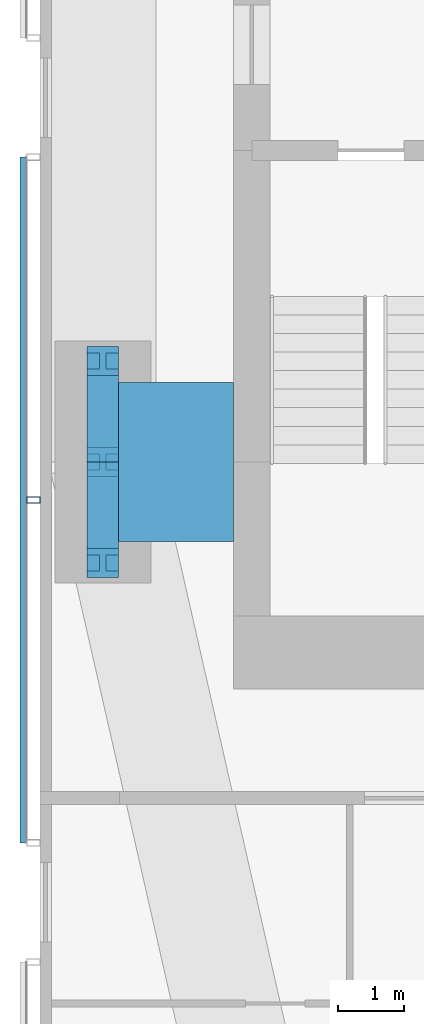
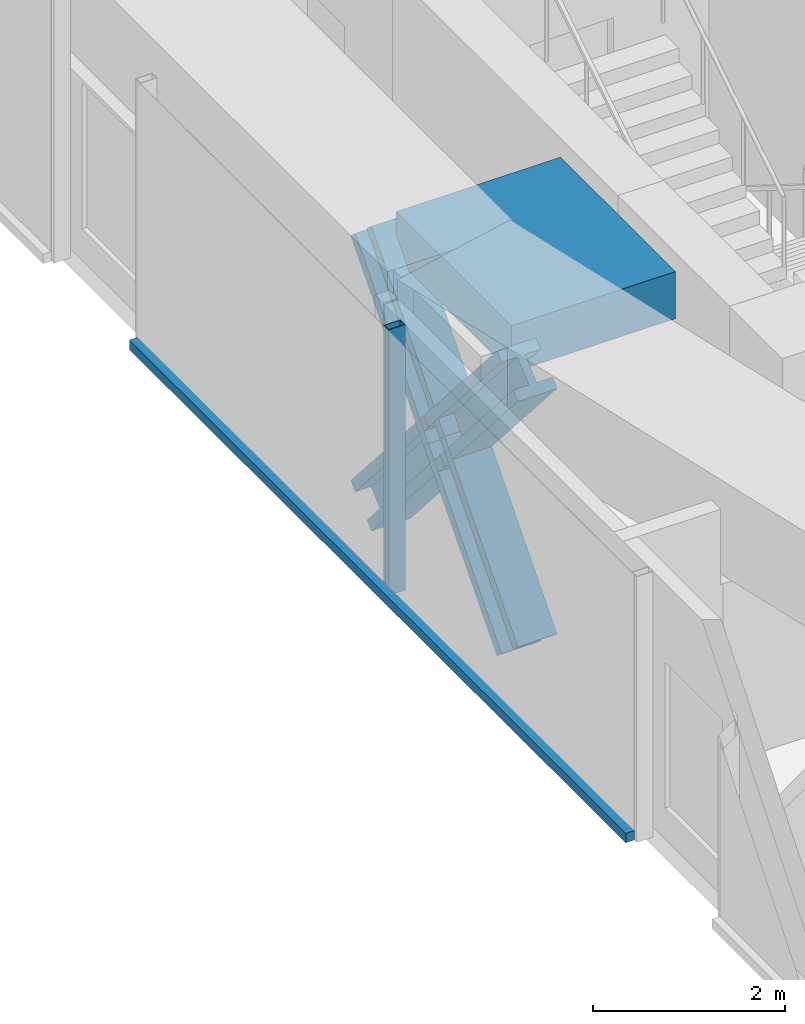
# One storey, part 4 of 19: 6 members, 1 beam, 1 element without a shape of its own.
"""IFC4 building model written with IfcOpenShell, lengths in metres."""

import ifcopenshell
import ifcopenshell.guid

model = None  # the IFC model being written
_history = None  # IfcOwnerHistory: only IFC2X3 demands one
_inside = {}  # id of a spatial element -> (the spatial element, [elements in it])
_under = {}  # id of a project, library or spatial element -> (it, [spatial elements below it])
_declared = {}  # id of a project -> (the project, [libraries it declares])
_typed = {}  # id of a type object -> (the type object, [elements of that type])
_made_of = {}  # id of a material, layer set ... -> (it, [elements and type objects made of it])


def new_model(schema):
    """Start an empty IFC model of exactly this schema.

    Asked for "IFC4X3", IfcOpenShell would pick the latest addendum, in which some entities
    have other attributes; the version numbers below select the first issue.
    IFC2X3 requires an IfcOwnerHistory on every rooted entity: one is made here for all.
    """
    global model, _history
    if schema == "IFC4X3":
        model = ifcopenshell.file(schema_version=(4, 3, 0, 0))
    else:
        model = ifcopenshell.file(schema=schema)
    _inside.clear()
    _under.clear()
    _declared.clear()
    _typed.clear()
    _made_of.clear()
    _history = None
    if model.schema == "IFC2X3":
        org = make("IfcOrganization", Name="unknown")
        user = make(
            "IfcPersonAndOrganization",
            ThePerson=make("IfcPerson", FamilyName="unknown"),
            TheOrganization=org,
        )
        app = make(
            "IfcApplication",
            ApplicationDeveloper=org,
            Version="unknown",
            ApplicationFullName="unknown",
            ApplicationIdentifier="unknown",
        )
        _history = make(
            "IfcOwnerHistory",
            OwningUser=user,
            OwningApplication=app,
            ChangeAction="ADDED",
            CreationDate=0,
        )
    return model


def make(cls, **values):
    """One entity of the class cls with the attributes given. An attribute that is None is left unset."""
    return model.create_entity(
        cls, **{name: value for name, value in values.items() if value is not None}
    )


def rooted(cls, **values):
    """An entity with a GlobalId (a new one), such as an element, a storey or a relation."""
    return make(cls, GlobalId=ifcopenshell.guid.new(), OwnerHistory=_history, **values)


def si_unit(unit_type, name, prefix=None):
    """IfcSIUnit, for example si_unit("LENGTHUNIT", "METRE", prefix="MILLI")."""
    return make("IfcSIUnit", UnitType=unit_type, Prefix=prefix, Name=name)


def assignment(units):
    """IfcUnitAssignment: the units of a project."""
    return None if units is None else make("IfcUnitAssignment", Units=units)


def point(xyz):
    """IfcCartesianPoint."""
    return None if xyz is None else make("IfcCartesianPoint", Coordinates=xyz)


def direction(xyz):
    """IfcDirection."""
    return None if xyz is None else make("IfcDirection", DirectionRatios=xyz)


def frame(location, z_axis=None, x_axis=None):
    """IfcAxis2Placement3D, a coordinate frame: its origin and axes. An axis left out is left unset."""
    return make(
        "IfcAxis2Placement3D",
        Location=point(location),
        Axis=direction(z_axis),
        RefDirection=direction(x_axis),
    )


def frame_2d(location, x_axis=None):
    """IfcAxis2Placement2D, a coordinate frame in the plane: its origin and x axis."""
    return make(
        "IfcAxis2Placement2D", Location=point(location), RefDirection=direction(x_axis)
    )


def origin():
    """The frame at (0, 0, 0) with its axes left unset."""
    return frame((0.0, 0.0, 0.0))


def origin_2d():
    """The frame at (0, 0) in the plane with its x axis left unset."""
    return frame_2d((0.0, 0.0))


def place(relative_to, where):
    """IfcLocalPlacement: puts the frame where relative to a parent placement (None: the world)."""
    return make(
        "IfcLocalPlacement", PlacementRelTo=relative_to, RelativePlacement=where
    )


def context(
    kind, dimensions, precision=None, world=None, true_north=None, identifier=None
):
    """IfcGeometricRepresentationContext, for example the 3D "Model" context."""
    return make(
        "IfcGeometricRepresentationContext",
        ContextIdentifier=identifier,
        ContextType=kind,
        CoordinateSpaceDimension=dimensions,
        Precision=precision,
        WorldCoordinateSystem=world,
        TrueNorth=true_north,
    )


def subcontext(parent, identifier, kind, view, scale=None):
    """IfcGeometricRepresentationSubContext, for example "Body" below "Model"."""
    return make(
        "IfcGeometricRepresentationSubContext",
        ContextIdentifier=identifier,
        ContextType=kind,
        ParentContext=parent,
        TargetScale=scale,
        TargetView=view,
    )


def project(units=None, contexts=None):
    """IfcProject with its units and contexts."""
    return rooted(
        "IfcProject",
        Name="project",
        RepresentationContexts=contexts,
        UnitsInContext=assignment(units),
    )


def spatial(cls, under=None, at=None, **own):
    """A site, building, storey or space (cls), placed at a placement, below another one or the project."""
    s = rooted(cls, ObjectPlacement=at, **own)
    if under is not None:
        _under.setdefault(under.id(), (under, []))[1].append(s)
    return s


def profile(cls, at=None, kind="AREA", **sizes):
    """A parametric profile (cls). Its sizes go by their IFC names, for example OverallWidth=200.0."""
    return make(cls, ProfileType=kind, Position=at, **sizes)


def rectangle(**sizes):
    """IfcRectangleProfileDef."""
    return profile("IfcRectangleProfileDef", **sizes)


def hollow_rectangle(**sizes):
    """IfcRectangleHollowProfileDef."""
    return profile("IfcRectangleHollowProfileDef", **sizes)


def i_section(**sizes):
    """IfcIShapeProfileDef."""
    return profile("IfcIShapeProfileDef", **sizes)


def extrude(swept, where, along, depth):
    """IfcExtrudedAreaSolid: the profile swept, set in the frame where, extruded along a direction by depth."""
    return make(
        "IfcExtrudedAreaSolid",
        SweptArea=swept,
        Position=where,
        ExtrudedDirection=direction(along),
        Depth=depth,
    )


def shape(context_of_items, identifier, shape_type, items):
    """IfcShapeRepresentation: the items that make up one representation, for example the "Body"."""
    return make(
        "IfcShapeRepresentation",
        ContextOfItems=context_of_items,
        RepresentationIdentifier=identifier,
        RepresentationType=shape_type,
        Items=items,
    )


def material(Name=None, Category=None):
    """IfcMaterial."""
    return make("IfcMaterial", Name=Name, Category=Category)


def material_profile(
    of_material, cross_section, Name=None, Category=None, Priority=None
):
    """IfcMaterialProfile: a cross section and its material."""
    return make(
        "IfcMaterialProfile",
        Name=Name,
        Material=of_material,
        Profile=cross_section,
        Priority=Priority,
        Category=Category,
    )


def profile_set(profiles, Name=None, composite=None):
    """IfcMaterialProfileSet."""
    return make(
        "IfcMaterialProfileSet",
        Name=Name,
        MaterialProfiles=profiles,
        CompositeProfile=composite,
    )


def made_of(thing, what):
    """Note that an element or type object is made of a material, layer set ...; save() writes the relation."""
    if what is not None:
        _made_of.setdefault(what.id(), (what, []))[1].append(thing)
    return thing


def type_object(cls, material=None, **own):
    """A type object (cls), such as IfcWallType, which elements share."""
    return made_of(rooted(cls, **own), material)


def element(
    cls,
    number,
    at=None,
    inside=None,
    cuts=None,
    type_object=None,
    material=None,
    context=None,
    identifier="Body",
    shape_type=None,
    held_by="IfcProductDefinitionShape",
    body=None,
    shapes=None,
    **own,
):
    """One element of the class cls, such as IfcWall. Its Tag is "e" and its number.

    at: its placement. inside: the storey or other place that contains it. cuts: it is an
    opening in that element (IfcRelVoidsElement). A single representation is given by context,
    identifier, shape_type and body (its items); several are given by shapes. held_by: the class
    of the entity that holds the representations. save() writes the other relations.
    """
    e = rooted(cls, Tag="e%d" % number, ObjectPlacement=at, **own)
    if body is not None:
        shapes = [shape(context, identifier, shape_type, body)]
    if shapes is not None:
        e.Representation = make(held_by, Representations=shapes)
    if inside is not None:
        _inside.setdefault(inside.id(), (inside, []))[1].append(e)
    if cuts is not None:
        rooted(
            "IfcRelVoidsElement", RelatingBuildingElement=cuts, RelatedOpeningElement=e
        )
    if type_object is not None:
        _typed.setdefault(type_object.id(), (type_object, []))[1].append(e)
    return made_of(e, material)


def aggregate(whole, parts):
    """IfcRelAggregates: a whole, such as a stair, and the parts it consists of."""
    return rooted("IfcRelAggregates", RelatingObject=whole, RelatedObjects=parts)


def save(model, path):
    """Write the relations noted so far, then the file.

    IfcRelAggregates (storeys below a building ...), IfcRelContainedInSpatialStructure (elements
    in a storey), IfcRelDefinesByType, IfcRelAssociatesMaterial and IfcRelDeclares: one each for
    every whole, place, type object, material and project.
    """
    for whole, parts in _under.values():
        aggregate(whole, parts)
    for where, things in _inside.values():
        rooted(
            "IfcRelContainedInSpatialStructure",
            RelatedElements=things,
            RelatingStructure=where,
        )
    for kind, things in _typed.values():
        rooted("IfcRelDefinesByType", RelatedObjects=things, RelatingType=kind)
    for what, things in _made_of.values():
        rooted("IfcRelAssociatesMaterial", RelatedObjects=things, RelatingMaterial=what)
    for by, libraries in _declared.values():
        rooted("IfcRelDeclares", RelatingContext=by, RelatedDefinitions=libraries)
    model.write(path)


model = new_model("IFC4")

# Units and contexts
model_context = context("Model", 3, precision=1e-05, world=origin(), true_north=direction((0.0, 1.0)))
body_context = subcontext(model_context, "Body", "Model", "MODEL_VIEW")
ifc_project = project(units=[si_unit("LENGTHUNIT", "METRE"), si_unit("AREAUNIT", "SQUARE_METRE"), si_unit("VOLUMEUNIT", "CUBIC_METRE"), si_unit("PLANEANGLEUNIT", "RADIAN"), si_unit("MASSUNIT", "GRAM", prefix="KILO")], contexts=[model_context])

# Site, building, storey
site_placement = place(None, origin())
site = spatial("IfcSite", under=ifc_project, at=site_placement, CompositionType="ELEMENT")
building_placement = place(site_placement, origin())
building = spatial("IfcBuilding", under=site, at=building_placement, Name="Jalousie Tower", CompositionType="ELEMENT")
storey_placement = place(building_placement, frame((0.0, 0.0, 221.449951171875)))
storey = spatial("IfcBuildingStorey", under=building, at=storey_placement, Name="L60", CompositionType="ELEMENT", Elevation=221.449951171875)

# Members
ifc_material_1 = material(Name="Steel ASTM A992 Grade 50", Category="steel")
ifc_material_profile_1 = material_profile(ifc_material_1, i_section(OverallWidth=0.472412109375, OverallDepth=0.5791015625, WebThickness=0.094970703125, FlangeThickness=0.1298828125, at=origin_2d()), Name="W14X808")
ifc_profile_set_1 = profile_set([ifc_material_profile_1], Name="Steel ASTM A992 Grade 50")
member_type_1 = type_object("IfcMemberType", Name="PERIMETER BRACE W14X808", PredefinedType="BRACE", material=ifc_profile_set_1)
for number, where, z_axis, x_axis, name in (
    (1, (17.75, 11.47509765625, -0.599853515625), (0.0, 0.65695436777, 0.753930340726), (-1.0, 0.0, 0.0), "Perimeter brace 14 L60 part 1"),
    (2, (17.75, 13.0, 1.150146484375), (0.0, 0.65695436777, 0.753930340726), (-1.0, 0.0, 0.0), "Perimeter brace 14 L60 part 2"),
    (3, (17.75, 14.52490234375, -0.599853515625), (0.0, -0.65695436777, 0.753930340726), (1.0, 0.0, 0.0), "Perimeter brace 14 L60 part 3"),
    (4, (17.75, 13.0, 1.150146484375), (0.0, -0.65695436777, 0.753930340726), (1.0, 0.0, 0.0), "Perimeter brace 14 L60 part 4"),
):
    element("IfcMember", number, at=place(storey_placement, frame(where, z_axis=z_axis, x_axis=x_axis)), inside=storey, type_object=member_type_1, Name=name, PredefinedType="BRACE", context=body_context, shape_type="SweptSolid", body=[
        extrude(i_section(OverallWidth=0.472412109375, OverallDepth=0.5791015625, WebThickness=0.094970703125, FlangeThickness=0.1298828125, at=origin_2d()), origin(), (0.0, 0.0, 1.0), 2.3212890625),
    ])

# Beam
ifc_material_2 = material(Name="Concrete f'c 40 MPa", Category="concrete")
ifc_material_profile_2 = material_profile(ifc_material_2, rectangle(XDim=2.39990234375, YDim=0.60009765625, at=origin_2d()), Name="RC 2400x600")
ifc_profile_set_2 = profile_set([ifc_material_profile_2], Name="Concrete f'c 40 MPa")
beam_type = type_object("IfcBeamType", Name="RC BEAM 2400x600", PredefinedType="BEAM", material=ifc_profile_set_2)
beam_placement = place(storey_placement, frame((17.75, 13.0, 2.9599609375), z_axis=(1.0, 0.0, 0.0), x_axis=(0.0, 1.0, 0.0)))
element("IfcBeam", 5, at=beam_placement, inside=storey, type_object=beam_type, Name="Floor band beam under L61", PredefinedType="BEAM", context=body_context, shape_type="SweptSolid", body=[
    extrude(rectangle(XDim=2.39990234375, YDim=0.60009765625, at=origin_2d()), origin(), (0.0, 0.0, 1.0), 1.97509765625),
])

# Curtain wall, members
ifc_material_3 = material(Name="Perforated aluminium sheet", Category="aluminium")
curtain_wall_type = type_object("IfcCurtainWallType", Name="SOLAR SCREEN SS-2", PredefinedType="USERDEFINED", material=ifc_material_3)
curtain_wall_placement = place(storey_placement, origin())
curtain_wall = element("IfcCurtainWall", 6, at=curtain_wall_placement, inside=storey, type_object=curtain_wall_type, Name="Solar screen L60", ObjectType="SOLAR SCREEN SS-2", PredefinedType="USERDEFINED")
ifc_material_4 = material(Name="Steel ASTM A500 Grade C", Category="steel")
ifc_material_profile_3 = material_profile(ifc_material_4, hollow_rectangle(XDim=0.1015625, YDim=0.203125, WallThickness=0.0078125, at=origin_2d()), Name="HSS8X4X5/16")
ifc_profile_set_3 = profile_set([ifc_material_profile_3], Name="Steel ASTM A500 Grade C")
member_type_2 = type_object("IfcMemberType", Name="SOLAR SCREEN SS-2 MULLION", PredefinedType="MULLION", material=ifc_profile_set_3)
member_1_placement = place(storey_placement, frame((16.703369140625, 12.425048828125, -0.119873046875), z_axis=(0.0, 0.0, 1.0), x_axis=(0.0, -1.0, 0.0)))
member_1 = element("IfcMember", 7, at=member_1_placement, type_object=member_type_2, Name="SS2 post 2", PredefinedType="MULLION", context=body_context, shape_type="SweptSolid", body=[
    extrude(hollow_rectangle(XDim=0.1015625, YDim=0.203125, WallThickness=0.0078125, at=origin_2d()), origin(), (0.0, 0.0, 1.0), 3.3798828125),
])
ifc_material_5 = material(Name="Extruded aluminium screen rail", Category="aluminium")
ifc_material_profile_4 = material_profile(ifc_material_5, rectangle(XDim=0.1015625, YDim=0.1201171875, at=origin_2d()), Name="RAIL 102x120")
ifc_profile_set_4 = profile_set([ifc_material_profile_4], Name="Extruded aluminium screen rail")
member_type_3 = type_object("IfcMemberType", Name="SOLAR SCREEN SS-2 TRANSOM", PredefinedType="USERDEFINED", material=ifc_profile_set_4)
member_2_placement = place(storey_placement, frame((16.551025390625, 17.60009765625, -0.06005859375), z_axis=(0.0, -1.0, 0.0), x_axis=(1.0, 0.0, 0.0)))
member_2 = element("IfcMember", 8, at=member_2_placement, type_object=member_type_3, Name="SS2 rail", ObjectType="TRANSOM", PredefinedType="USERDEFINED", context=body_context, shape_type="SweptSolid", body=[
    extrude(rectangle(XDim=0.1015625, YDim=0.1201171875, at=origin_2d()), origin(), (0.0, 0.0, 1.0), 10.35009765625),
])
aggregate(curtain_wall, [member_1, member_2])

save(model, "model.ifc")
